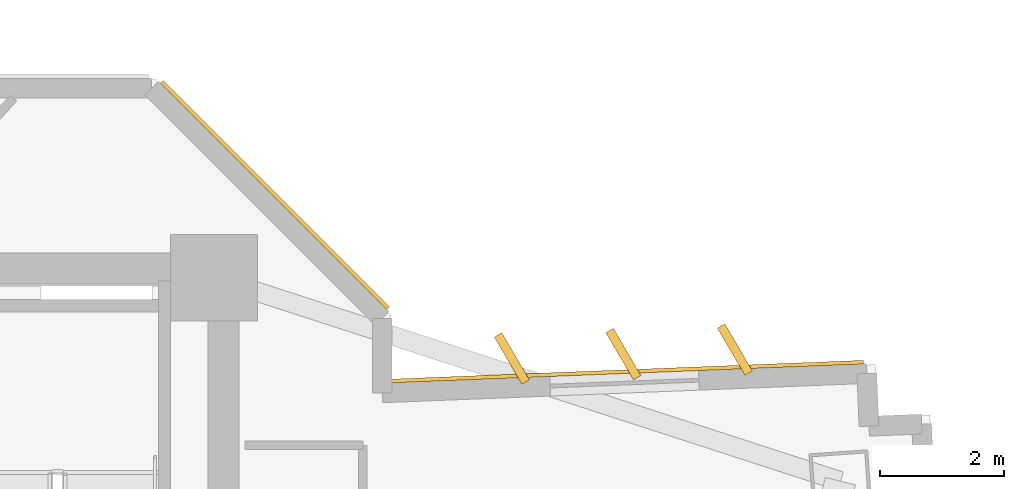
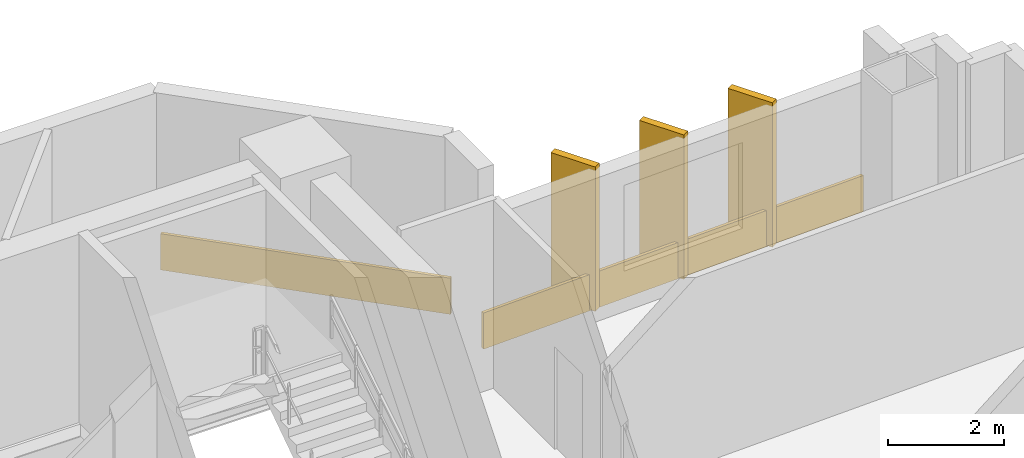
# One storey, part 16 of 16: 5 coverings.
"""IFC4 building model written with IfcOpenShell, lengths in metres."""

from ifc_helpers import new_model, si_unit, direction, frame, origin, origin_2d, place, context, subcontext, project, spatial, rectangle, extrude, source, transform, mapped, material, layer, layer_set, type_object, element, save


model = new_model("IFC4")

# Units and contexts
model_context = context("Model", 3, precision=1e-05, world=origin(), true_north=direction((0.0, 1.0)))
body_context = subcontext(model_context, "Body", "Model", "MODEL_VIEW")
ifc_project = project(units=[si_unit("LENGTHUNIT", "METRE"), si_unit("AREAUNIT", "SQUARE_METRE"), si_unit("VOLUMEUNIT", "CUBIC_METRE"), si_unit("PLANEANGLEUNIT", "RADIAN"), si_unit("MASSUNIT", "GRAM", prefix="KILO")], contexts=[model_context])

# Site, building, storey
site_placement = place(None, origin())
site = spatial("IfcSite", under=ifc_project, at=site_placement, CompositionType="ELEMENT")
building_placement = place(site_placement, origin())
building = spatial("IfcBuilding", under=site, at=building_placement, Name="Zahravan Cultural Tower", CompositionType="ELEMENT")
storey_placement = place(building_placement, frame((0.0, 0.0, 54.300048828125)))
storey = spatial("IfcBuildingStorey", under=building, at=storey_placement, Name="L11", CompositionType="ELEMENT", Elevation=54.300048828125)

# Coverings
ifc_material = material(Name="Terracotta ceramic cladding", Category="masonry")
ifc_layer = layer(ifc_material, 0.06005859375)
ifc_layer_set = layer_set([ifc_layer], Name="Terracotta ceramic cladding")
covering_type = type_object("IfcCoveringType", Name="COV-CLAD-TC60", PredefinedType="CLADDING", material=ifc_layer_set)
shared_shape_1 = source(origin(), body_context, "Body", "SweptSolid", [
    extrude(rectangle(XDim=5.157958984375, YDim=0.06005859375, at=origin_2d()), origin(), (0.0, 0.0, 1.0), 0.760009765625),
])
covering_1_placement = place(storey_placement, frame((51.331787109375, 37.53173828125, 0.02001953125), z_axis=(0.0, 0.0, 1.0), x_axis=(0.707106781187, -0.707106781187, 0.0)))
element("IfcCovering", 1, at=covering_1_placement, inside=storey, type_object=covering_type, Name="L11 Terracotta Spandrel Cladding 53", PredefinedType="CLADDING", context=body_context, shape_type="MappedRepresentation", body=[
    mapped(shared_shape_1, transform((0.0, 0.0, 0.0), x_axis=(1.0, 0.0, 0.0), y_axis=(0.0, 1.0, 0.0), z_axis=(0.0, 0.0, 1.0), scale=1.0)),
])
shared_shape_2 = source(origin(), body_context, "Body", "SweptSolid", [
    extrude(rectangle(XDim=0.8798828125, YDim=0.139892578125, at=origin_2d()), origin(), (0.0, 0.0, 1.0), 3.030029296875),
])
for number, where, z_axis, x_axis, name in (
    (2, (55.150390625, 34.898193359375, 0.0498046875), (0.0, 0.0, 1.0), (-0.504226211181, 0.863571611366, 0.0), "L11 Herringbone Terracotta Fin 01"),
    (3, (56.948974609375, 34.9697265625, 0.0498046875), (0.0, 0.0, 1.0), (-0.504226211181, 0.863571611366, 0.0), "L11 Herringbone Terracotta Fin 02"),
    (4, (58.747314453125, 35.041259765625, 0.0498046875), (0.0, 0.0, 1.0), (-0.504226211181, 0.863571611366, 0.0), "L11 Herringbone Terracotta Fin 03"),
):
    element("IfcCovering", number, at=place(storey_placement, frame(where, z_axis=z_axis, x_axis=x_axis)), inside=storey, type_object=covering_type, Name=name, PredefinedType="CLADDING", context=body_context, shape_type="MappedRepresentation", body=[
        mapped(shared_shape_2, transform((0.0, 0.0, 0.0), x_axis=(1.0, 0.0, 0.0), y_axis=(0.0, 1.0, 0.0), z_axis=(0.0, 0.0, 1.0), scale=1.0)),
    ])
shared_shape_3 = source(origin(), body_context, "Body", "SweptSolid", [
    extrude(rectangle(XDim=7.72119140625, YDim=0.06005859375, at=origin_2d()), origin(), (0.0, 0.0, 1.0), 0.760009765625),
])
covering_2_placement = place(storey_placement, frame((56.960205078125, 34.684814453125, 0.02001953125), z_axis=(0.0, 0.0, 1.0), x_axis=(0.999208342878, 0.039783005453, 0.0)))
element("IfcCovering", 5, at=covering_2_placement, inside=storey, type_object=covering_type, Name="L11 Terracotta Spandrel Cladding 01", PredefinedType="CLADDING", context=body_context, shape_type="MappedRepresentation", body=[
    mapped(shared_shape_3, transform((0.0, 0.0, 0.0), x_axis=(1.0, 0.0, 0.0), y_axis=(0.0, 1.0, 0.0), z_axis=(0.0, 0.0, 1.0), scale=1.0)),
])

save(model, "model.ifc")
